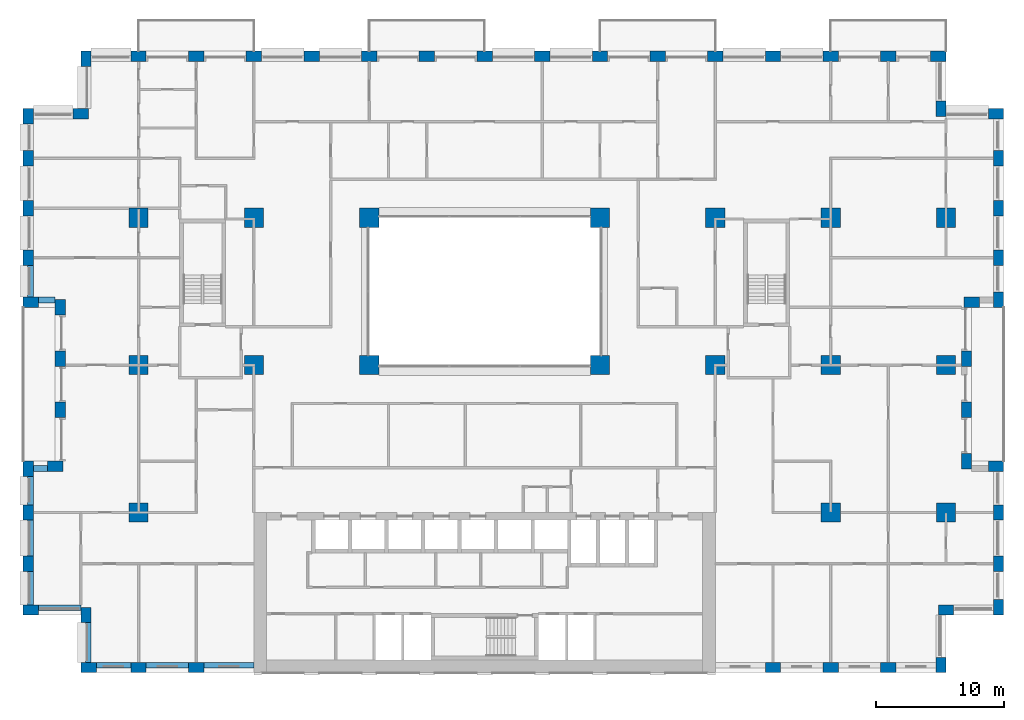
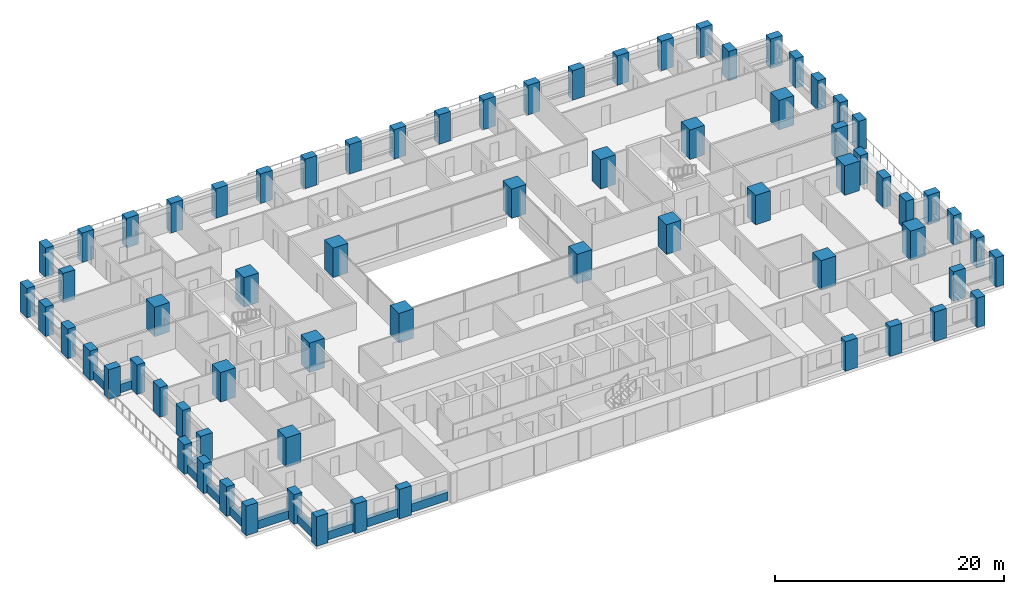
# One storey, part 1 of 19: 70 columns, 11 beams.
"""IFC4 building model written with IfcOpenShell, lengths in metres."""

from ifc_helpers import new_model, si_unit, direction, frame, origin, origin_2d, place, context, subcontext, project, spatial, rectangle, extrude, material, material_profile, profile_set, type_object, element, save


model = new_model("IFC4")

# Units and contexts
model_context = context("Model", 3, precision=1e-05, world=origin(), true_north=direction((0.0, 1.0)))
body_context = subcontext(model_context, "Body", "Model", "MODEL_VIEW")
ifc_project = project(units=[si_unit("LENGTHUNIT", "METRE"), si_unit("AREAUNIT", "SQUARE_METRE"), si_unit("VOLUMEUNIT", "CUBIC_METRE"), si_unit("PLANEANGLEUNIT", "RADIAN"), si_unit("MASSUNIT", "GRAM", prefix="KILO")], contexts=[model_context])

# Site, building, storey
site_placement = place(None, origin())
site = spatial("IfcSite", under=ifc_project, at=site_placement, CompositionType="ELEMENT")
building_placement = place(site_placement, origin())
building = spatial("IfcBuilding", under=site, at=building_placement, Name="Brigalow Station Residences", CompositionType="ELEMENT")
storey_placement = place(building_placement, frame((0.0, 0.0, 28.949951171875)))
storey = spatial("IfcBuildingStorey", under=building, at=storey_placement, Name="L07", CompositionType="ELEMENT", Elevation=28.949951171875)

# Columns
ifc_material_1 = material(Name="Concrete C80", Category="concrete")
ifc_material_profile_1 = material_profile(ifc_material_1, rectangle(XDim=1.5, YDim=1.5, at=origin_2d()), Name="RC1500x1500")
ifc_profile_set_1 = profile_set([ifc_material_profile_1], Name="Concrete C80")
column_type_1 = type_object("IfcColumnType", Name="COLUMN 1500x1500 C80", PredefinedType="COLUMN", material=ifc_profile_set_1)
for number, where, z_axis, x_axis, name in (
    (1, (9.0, 24.0, 0.0), (0.0, 0.0, 1.0), (1.0, 0.0, 0.0), "COLUMN C1 L07"),
    (2, (18.0, 24.0, 0.0), (0.0, 0.0, 1.0), (1.0, 0.0, 0.0), "COLUMN C2 L07"),
    (3, (27.0, 24.0, 0.0), (0.0, 0.0, 1.0), (1.0, 0.0, 0.0), "COLUMN C3 L07"),
    (4, (45.0, 24.0, 0.0), (0.0, 0.0, 1.0), (1.0, 0.0, 0.0), "COLUMN C5 L07"),
    (5, (54.0, 24.0, 0.0), (0.0, 0.0, 1.0), (1.0, 0.0, 0.0), "COLUMN C6 L07"),
    (6, (63.0, 24.0, 0.0), (0.0, 0.0, 1.0), (1.0, 0.0, 0.0), "COLUMN C7 L07"),
    (7, (72.0, 24.0, 0.0), (0.0, 0.0, 1.0), (1.0, 0.0, 0.0), "COLUMN C8 L07"),
    (8, (9.0, 35.5, 0.0), (0.0, 0.0, 1.0), (1.0, 0.0, 0.0), "COLUMN D1 L07"),
    (9, (18.0, 35.5, 0.0), (0.0, 0.0, 1.0), (1.0, 0.0, 0.0), "COLUMN D2 L07"),
    (10, (27.0, 35.5, 0.0), (0.0, 0.0, 1.0), (1.0, 0.0, 0.0), "COLUMN D3 L07"),
    (11, (45.0, 35.5, 0.0), (0.0, 0.0, 1.0), (1.0, 0.0, 0.0), "COLUMN D5 L07"),
    (12, (54.0, 35.5, 0.0), (0.0, 0.0, 1.0), (1.0, 0.0, 0.0), "COLUMN D6 L07"),
    (13, (63.0, 35.5, 0.0), (0.0, 0.0, 1.0), (1.0, 0.0, 0.0), "COLUMN D7 L07"),
    (14, (72.0, 35.5, 0.0), (0.0, 0.0, 1.0), (1.0, 0.0, 0.0), "COLUMN D8 L07"),
    (15, (9.0, 12.5, 0.0), (0.0, 0.0, 1.0), (1.0, 0.0, 0.0), "COLUMN B1 L07"),
    (16, (63.0, 12.5, 0.0), (0.0, 0.0, 1.0), (1.0, 0.0, 0.0), "COLUMN B7 L07"),
    (17, (72.0, 12.5, 0.0), (0.0, 0.0, 1.0), (1.0, 0.0, 0.0), "COLUMN B8 L07"),
):
    element("IfcColumn", number, at=place(storey_placement, frame(where, z_axis=z_axis, x_axis=x_axis)), inside=storey, type_object=column_type_1, Name=name, PredefinedType="COLUMN", context=body_context, shape_type="SweptSolid", body=[
        extrude(rectangle(XDim=1.5, YDim=1.5, at=origin_2d()), origin(), (0.0, 0.0, 1.0), 3.150146484375),
    ])
ifc_material_2 = material(Name="Concrete C80", Category="concrete")
ifc_material_profile_2 = material_profile(ifc_material_2, rectangle(XDim=1.199951171875, YDim=0.800048828125, at=origin_2d()), Name="RC1200x800")
ifc_profile_set_2 = profile_set([ifc_material_profile_2], Name="Concrete C80")
column_type_2 = type_object("IfcColumnType", Name="PIER 1200x800 C80", PredefinedType="USERDEFINED", material=ifc_profile_set_2)
for number, where, z_axis, x_axis, name in (
    (18, (5.10009765625, 0.39990234375, 0.0), (0.0, 0.0, 1.0), (1.0, 0.0, 0.0), "PIER S-1 L07"),
    (19, (9.0, 0.39990234375, 0.0), (0.0, 0.0, 1.0), (1.0, 0.0, 0.0), "PIER S-2 L07"),
    (20, (13.5, 0.39990234375, 0.0), (0.0, 0.0, 1.0), (1.0, 0.0, 0.0), "PIER S-3 L07"),
    (21, (58.5, 0.39990234375, 0.0), (0.0, 0.0, 1.0), (1.0, 0.0, 0.0), "PIER S-13 L07"),
    (22, (63.0, 0.39990234375, 0.0), (0.0, 0.0, 1.0), (1.0, 0.0, 0.0), "PIER S-14 L07"),
    (23, (67.5, 0.39990234375, 0.0), (0.0, 0.0, 1.0), (1.0, 0.0, 0.0), "PIER S-15 L07"),
    (24, (71.60009765625, 0.60009765625, 0.0), (0.0, 0.0, 1.0), (0.0, 1.0, 0.0), "PIER SE1-1 L07"),
    (25, (72.0, 4.89990234375, 0.0), (0.0, 0.0, 1.0), (1.0, 0.0, 0.0), "PIER SE2-1 L07"),
    (26, (76.10009765625, 5.10009765625, 0.0), (0.0, 0.0, 1.0), (0.0, 1.0, 0.0), "PIER E1-1 L07"),
    (27, (76.10009765625, 8.5, 0.0), (0.0, 0.0, 1.0), (0.0, 1.0, 0.0), "PIER E1-2 L07"),
    (28, (76.10009765625, 12.5, 0.0), (0.0, 0.0, 1.0), (0.0, 1.0, 0.0), "PIER E1-3 L07"),
    (29, (75.89990234375, 16.10009765625, 0.0), (0.0, 0.0, 1.0), (-1.0, 0.0, 0.0), "PIER EL1-1 L07"),
    (30, (73.60009765625, 16.5, 0.0), (0.0, 0.0, 1.0), (0.0, 1.0, 0.0), "PIER EL2-1 L07"),
    (31, (73.60009765625, 20.5, 0.0), (0.0, 0.0, 1.0), (0.0, 1.0, 0.0), "PIER EL2-2 L07"),
    (32, (73.60009765625, 24.5, 0.0), (0.0, 0.0, 1.0), (0.0, 1.0, 0.0), "PIER EL2-3 L07"),
    (33, (74.0, 28.89990234375, 0.0), (0.0, 0.0, 1.0), (1.0, 0.0, 0.0), "PIER EL3-1 L07"),
    (34, (76.10009765625, 29.10009765625, 0.0), (0.0, 0.0, 1.0), (0.0, 1.0, 0.0), "PIER E2-1 L07"),
    (35, (76.10009765625, 32.375, 0.0), (0.0, 0.0, 1.0), (0.0, 1.0, 0.0), "PIER E2-2 L07"),
    (36, (76.10009765625, 36.25, 0.0), (0.0, 0.0, 1.0), (0.0, 1.0, 0.0), "PIER E2-3 L07"),
    (37, (76.10009765625, 40.125, 0.0), (0.0, 0.0, 1.0), (0.0, 1.0, 0.0), "PIER E2-4 L07"),
    (38, (75.89990234375, 43.60009765625, 0.0), (0.0, 0.0, 1.0), (-1.0, 0.0, 0.0), "PIER NE1-1 L07"),
    (39, (71.60009765625, 44.0, 0.0), (0.0, 0.0, 1.0), (0.0, 1.0, 0.0), "PIER NE2-1 L07"),
    (40, (71.39990234375, 48.10009765625, 0.0), (0.0, 0.0, 1.0), (-1.0, 0.0, 0.0), "PIER N-1 L07"),
    (41, (67.5, 48.10009765625, 0.0), (0.0, 0.0, 1.0), (-1.0, 0.0, 0.0), "PIER N-2 L07"),
    (42, (63.0, 48.10009765625, 0.0), (0.0, 0.0, 1.0), (-1.0, 0.0, 0.0), "PIER N-3 L07"),
    (43, (58.5, 48.10009765625, 0.0), (0.0, 0.0, 1.0), (-1.0, 0.0, 0.0), "PIER N-4 L07"),
    (44, (54.0, 48.10009765625, 0.0), (0.0, 0.0, 1.0), (-1.0, 0.0, 0.0), "PIER N-5 L07"),
    (45, (49.5, 48.10009765625, 0.0), (0.0, 0.0, 1.0), (-1.0, 0.0, 0.0), "PIER N-6 L07"),
    (46, (45.0, 48.10009765625, 0.0), (0.0, 0.0, 1.0), (-1.0, 0.0, 0.0), "PIER N-7 L07"),
    (47, (40.5, 48.10009765625, 0.0), (0.0, 0.0, 1.0), (-1.0, 0.0, 0.0), "PIER N-8 L07"),
    (48, (36.0, 48.10009765625, 0.0), (0.0, 0.0, 1.0), (-1.0, 0.0, 0.0), "PIER N-9 L07"),
    (49, (31.5, 48.10009765625, 0.0), (0.0, 0.0, 1.0), (-1.0, 0.0, 0.0), "PIER N-10 L07"),
    (50, (27.0, 48.10009765625, 0.0), (0.0, 0.0, 1.0), (-1.0, 0.0, 0.0), "PIER N-11 L07"),
    (51, (22.5, 48.10009765625, 0.0), (0.0, 0.0, 1.0), (-1.0, 0.0, 0.0), "PIER N-12 L07"),
    (52, (18.0, 48.10009765625, 0.0), (0.0, 0.0, 1.0), (-1.0, 0.0, 0.0), "PIER N-13 L07"),
    (53, (13.5, 48.10009765625, 0.0), (0.0, 0.0, 1.0), (-1.0, 0.0, 0.0), "PIER N-14 L07"),
    (54, (9.0, 48.10009765625, 0.0), (0.0, 0.0, 1.0), (-1.0, 0.0, 0.0), "PIER N-15 L07"),
    (55, (4.89990234375, 47.89990234375, 0.0), (0.0, 0.0, 1.0), (0.0, -1.0, 0.0), "PIER NW1-1 L07"),
    (56, (4.5, 43.60009765625, 0.0), (0.0, 0.0, 1.0), (-1.0, 0.0, 0.0), "PIER NW2-1 L07"),
    (57, (0.39990234375, 43.39990234375, 0.0), (0.0, 0.0, 1.0), (0.0, -1.0, 0.0), "PIER W2-1 L07"),
    (58, (0.39990234375, 40.125, 0.0), (0.0, 0.0, 1.0), (0.0, -1.0, 0.0), "PIER W2-2 L07"),
    (59, (0.39990234375, 36.25, 0.0), (0.0, 0.0, 1.0), (0.0, -1.0, 0.0), "PIER W2-3 L07"),
    (60, (0.39990234375, 32.375, 0.0), (0.0, 0.0, 1.0), (0.0, -1.0, 0.0), "PIER W2-4 L07"),
    (61, (0.60009765625, 28.89990234375, 0.0), (0.0, 0.0, 1.0), (1.0, 0.0, 0.0), "PIER WL1-1 L07"),
    (62, (2.89990234375, 28.5, 0.0), (0.0, 0.0, 1.0), (0.0, -1.0, 0.0), "PIER WL2-1 L07"),
    (63, (2.89990234375, 24.5, 0.0), (0.0, 0.0, 1.0), (0.0, -1.0, 0.0), "PIER WL2-2 L07"),
    (64, (2.89990234375, 20.5, 0.0), (0.0, 0.0, 1.0), (0.0, -1.0, 0.0), "PIER WL2-3 L07"),
    (65, (2.5, 16.10009765625, 0.0), (0.0, 0.0, 1.0), (-1.0, 0.0, 0.0), "PIER WL3-1 L07"),
    (66, (0.39990234375, 15.89990234375, 0.0), (0.0, 0.0, 1.0), (0.0, -1.0, 0.0), "PIER W1-1 L07"),
    (67, (0.39990234375, 12.5, 0.0), (0.0, 0.0, 1.0), (0.0, -1.0, 0.0), "PIER W1-2 L07"),
    (68, (0.39990234375, 8.5, 0.0), (0.0, 0.0, 1.0), (0.0, -1.0, 0.0), "PIER W1-3 L07"),
    (69, (0.60009765625, 4.89990234375, 0.0), (0.0, 0.0, 1.0), (1.0, 0.0, 0.0), "PIER SW1-1 L07"),
    (70, (4.89990234375, 4.5, 0.0), (0.0, 0.0, 1.0), (0.0, -1.0, 0.0), "PIER SW2-1 L07"),
):
    element("IfcColumn", number, at=place(storey_placement, frame(where, z_axis=z_axis, x_axis=x_axis)), inside=storey, type_object=column_type_2, Name=name, ObjectType="PIER", PredefinedType="USERDEFINED", context=body_context, shape_type="SweptSolid", body=[
        extrude(rectangle(XDim=1.199951171875, YDim=0.800048828125, at=origin_2d()), origin(), (0.0, 0.0, 1.0), 3.150146484375),
    ])

# Beams
ifc_material_3 = material(Name="Concrete C65", Category="concrete")
ifc_material_profile_3 = material_profile(ifc_material_3, rectangle(XDim=0.449951171875, YDim=0.89990234375, at=origin_2d()), Name="RC450x900")
ifc_profile_set_3 = profile_set([ifc_material_profile_3], Name="Concrete C65")
beam_type = type_object("IfcBeamType", Name="SPANDREL BEAM 450x900 C65", PredefinedType="SPANDREL", material=ifc_profile_set_3)
beam_1_placement = place(storey_placement, frame((5.699951171875, 0.574951171875, 0.449951171875), z_axis=(1.0, 0.0, 0.0), x_axis=(0.0, 1.0, 0.0)))
element("IfcBeam", 71, at=beam_1_placement, inside=storey, type_object=beam_type, Name="L07/spandrel/W-L07-1", PredefinedType="SPANDREL", context=body_context, shape_type="SweptSolid", body=[
    extrude(rectangle(XDim=0.449951171875, YDim=0.89990234375, at=origin_2d()), origin(), (0.0, 0.0, 1.0), 2.699951171875),
])
beam_2_placement = place(storey_placement, frame((9.60009765625, 0.574951171875, 0.449951171875), z_axis=(1.0, 0.0, 0.0), x_axis=(0.0, 1.0, 0.0)))
element("IfcBeam", 72, at=beam_2_placement, inside=storey, type_object=beam_type, Name="L07/spandrel/W-L07-2", PredefinedType="SPANDREL", context=body_context, shape_type="SweptSolid", body=[
    extrude(rectangle(XDim=0.449951171875, YDim=0.89990234375, at=origin_2d()), origin(), (0.0, 0.0, 1.0), 3.2998046875),
])
beam_3_placement = place(storey_placement, frame((14.10009765625, 0.574951171875, 0.449951171875), z_axis=(1.0, 0.0, 0.0), x_axis=(0.0, 1.0, 0.0)))
element("IfcBeam", 73, at=beam_3_placement, inside=storey, type_object=beam_type, Name="L07/spandrel/W-L07-3", PredefinedType="SPANDREL", context=body_context, shape_type="SweptSolid", body=[
    extrude(rectangle(XDim=0.449951171875, YDim=0.89990234375, at=origin_2d()), origin(), (0.0, 0.0, 1.0), 3.89990234375),
])
beam_4_placement = place(storey_placement, frame((0.574951171875, 31.77490234375, 0.449951171875), z_axis=(0.0, -1.0, 0.0), x_axis=(1.0, 0.0, 0.0)))
element("IfcBeam", 74, at=beam_4_placement, inside=storey, type_object=beam_type, Name="L07/spandrel/W-L07-45", PredefinedType="SPANDREL", context=body_context, shape_type="SweptSolid", body=[
    extrude(rectangle(XDim=0.449951171875, YDim=0.89990234375, at=origin_2d()), origin(), (0.0, 0.0, 1.0), 2.474853515625),
])
beam_5_placement = place(storey_placement, frame((1.199951171875, 29.074951171875, 0.449951171875), z_axis=(1.0, 0.0, 0.0), x_axis=(0.0, 1.0, 0.0)))
element("IfcBeam", 75, at=beam_5_placement, inside=storey, type_object=beam_type, Name="L07/spandrel/W-L07-46", PredefinedType="SPANDREL", context=body_context, shape_type="SweptSolid", body=[
    extrude(rectangle(XDim=0.449951171875, YDim=0.89990234375, at=origin_2d()), origin(), (0.0, 0.0, 1.0), 1.300048828125),
])
beam_6_placement = place(storey_placement, frame((1.89990234375, 15.925048828125, 0.449951171875), z_axis=(-1.0, 0.0, 0.0), x_axis=(0.0, -1.0, 0.0)))
element("IfcBeam", 76, at=beam_6_placement, inside=storey, type_object=beam_type, Name="L07/spandrel/W-L07-50", PredefinedType="SPANDREL", context=body_context, shape_type="SweptSolid", body=[
    extrude(rectangle(XDim=0.449951171875, YDim=0.89990234375, at=origin_2d()), origin(), (0.0, 0.0, 1.0), 1.099853515625),
])
beam_7_placement = place(storey_placement, frame((0.574951171875, 15.300048828125, 0.449951171875), z_axis=(0.0, -1.0, 0.0), x_axis=(1.0, 0.0, 0.0)))
element("IfcBeam", 77, at=beam_7_placement, inside=storey, type_object=beam_type, Name="L07/spandrel/W-L07-51", PredefinedType="SPANDREL", context=body_context, shape_type="SweptSolid", body=[
    extrude(rectangle(XDim=0.449951171875, YDim=0.89990234375, at=origin_2d()), origin(), (0.0, 0.0, 1.0), 2.199951171875),
])
beam_8_placement = place(storey_placement, frame((0.574951171875, 11.89990234375, 0.449951171875), z_axis=(0.0, -1.0, 0.0), x_axis=(1.0, 0.0, 0.0)))
element("IfcBeam", 78, at=beam_8_placement, inside=storey, type_object=beam_type, Name="L07/spandrel/W-L07-52", PredefinedType="SPANDREL", context=body_context, shape_type="SweptSolid", body=[
    extrude(rectangle(XDim=0.449951171875, YDim=0.89990234375, at=origin_2d()), origin(), (0.0, 0.0, 1.0), 2.7998046875),
])
beam_9_placement = place(storey_placement, frame((0.574951171875, 7.89990234375, 0.449951171875), z_axis=(0.0, -1.0, 0.0), x_axis=(1.0, 0.0, 0.0)))
element("IfcBeam", 79, at=beam_9_placement, inside=storey, type_object=beam_type, Name="L07/spandrel/W-L07-53", PredefinedType="SPANDREL", context=body_context, shape_type="SweptSolid", body=[
    extrude(rectangle(XDim=0.449951171875, YDim=0.89990234375, at=origin_2d()), origin(), (0.0, 0.0, 1.0), 2.599853515625),
])
beam_10_placement = place(storey_placement, frame((1.199951171875, 5.074951171875, 0.449951171875), z_axis=(1.0, 0.0, 0.0), x_axis=(0.0, 1.0, 0.0)))
element("IfcBeam", 80, at=beam_10_placement, inside=storey, type_object=beam_type, Name="L07/spandrel/W-L07-54", PredefinedType="SPANDREL", context=body_context, shape_type="SweptSolid", body=[
    extrude(rectangle(XDim=0.449951171875, YDim=0.89990234375, at=origin_2d()), origin(), (0.0, 0.0, 1.0), 3.300048828125),
])
beam_11_placement = place(storey_placement, frame((5.074951171875, 3.89990234375, 0.449951171875), z_axis=(0.0, -1.0, 0.0), x_axis=(1.0, 0.0, 0.0)))
element("IfcBeam", 81, at=beam_11_placement, inside=storey, type_object=beam_type, Name="L07/spandrel/W-L07-55", PredefinedType="SPANDREL", context=body_context, shape_type="SweptSolid", body=[
    extrude(rectangle(XDim=0.449951171875, YDim=0.89990234375, at=origin_2d()), origin(), (0.0, 0.0, 1.0), 3.099853515625),
])

save(model, "model.ifc")
